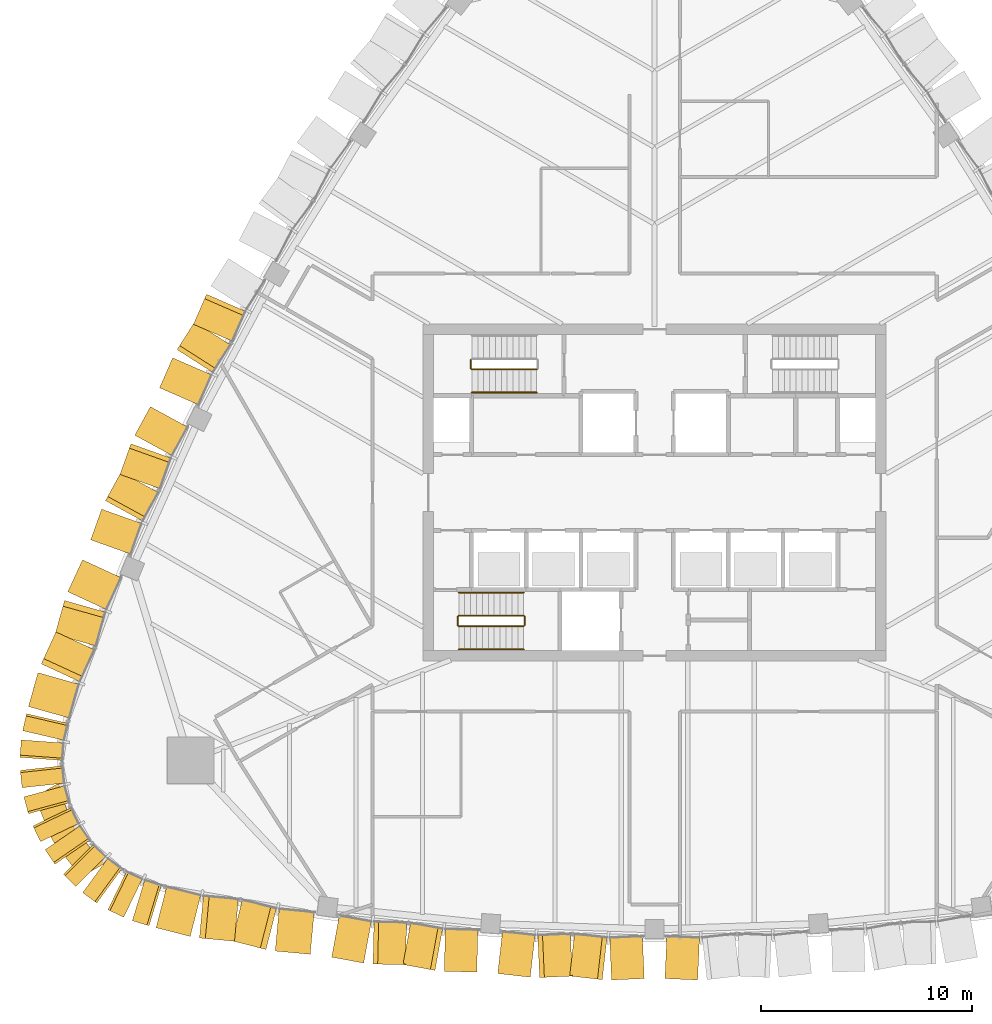
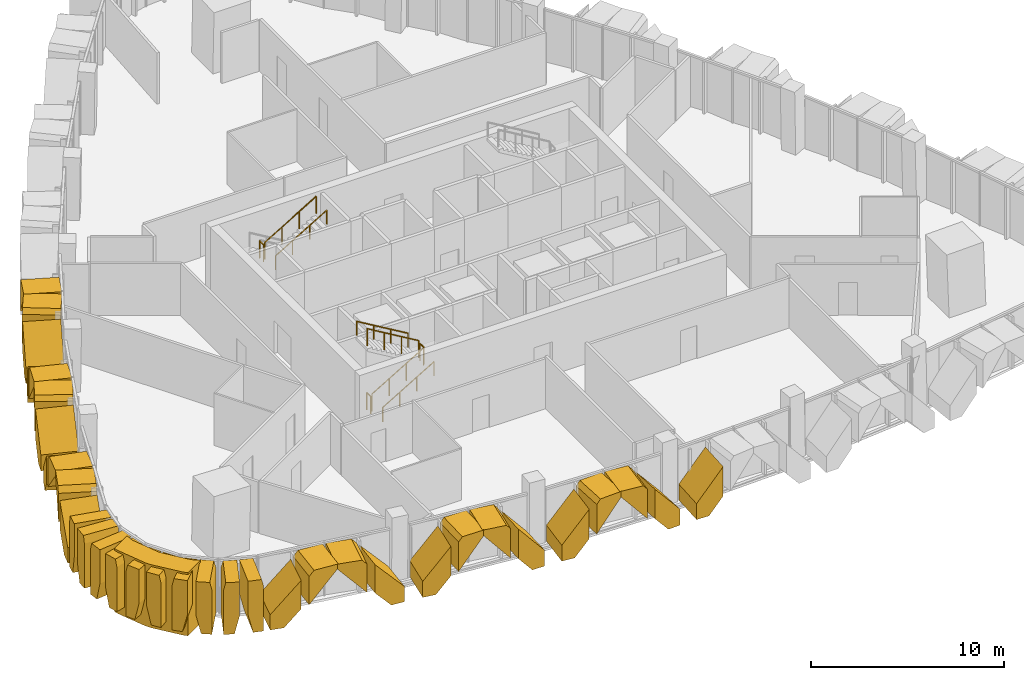
# One storey, part 17 of 20: 35 coverings, 9 railings.
"""IFC4 building model written with IfcOpenShell, lengths in metres."""

from ifc_helpers import new_model, si_unit, direction, frame, origin, origin_2d, place, context, subcontext, project, spatial, polyline, circle, outline, extrude, material, layer, layer_set, type_object, element, save


model = new_model("IFC4")

# Units and contexts
model_context = context("Model", 3, precision=1e-05, world=origin(), true_north=direction((0.0, 1.0)))
body_context = subcontext(model_context, "Body", "Model", "MODEL_VIEW")
ifc_project = project(units=[si_unit("LENGTHUNIT", "METRE"), si_unit("AREAUNIT", "SQUARE_METRE"), si_unit("VOLUMEUNIT", "CUBIC_METRE"), si_unit("PLANEANGLEUNIT", "RADIAN"), si_unit("MASSUNIT", "GRAM", prefix="KILO")], contexts=[model_context])

# Site, building, storey
site_placement = place(None, origin())
site = spatial("IfcSite", under=ifc_project, at=site_placement, CompositionType="ELEMENT")
building_placement = place(site_placement, origin())
building = spatial("IfcBuilding", under=site, at=building_placement, Name="Sierra Prisma Convention Tower", CompositionType="ELEMENT")
storey_placement = place(building_placement, frame((0.0, 0.0, 239.0)))
storey = spatial("IfcBuildingStorey", under=building, at=storey_placement, Name="L53", CompositionType="ELEMENT", Elevation=239.0)

# Coverings
ifc_material_1 = material(Name="Aluminium composite bronze anodised", Category="aluminium")
ifc_layer_1 = layer(ifc_material_1, 1.199951171875)
ifc_layer_set_1 = layer_set([ifc_layer_1], Name="Bronze corner pier")
covering_type_1 = type_object("IfcCoveringType", Name="Bronze corner pier", PredefinedType="CLADDING", material=ifc_layer_set_1)
covering_1_placement = place(storey_placement, frame((0.0, 0.0, -0.60009765625)))
element("IfcCovering", 1, at=covering_1_placement, inside=storey, type_object=covering_type_1, Name="Corner pier SW L53.1", PredefinedType="CLADDING", context=body_context, shape_type="SweptSolid", body=[
    extrude(outline(polyline([(-28.50732421875, -16.652587890625), (-28.67529296875, -16.36181640625), (-29.339111328125, -14.715087890625), (-29.40771484375, -14.438232421875), (-28.275634765625, -13.78466796875), (-28.22607421875, -14.266357421875), (-27.562255859375, -15.9130859375), (-26.468017578125, -17.311279296875), (-26.07568359375, -17.59521484375), (-27.20751953125, -18.248779296875), (-27.4130859375, -18.05078125), (-28.50732421875, -16.652587890625)])), origin(), (0.0, 0.0, 1.0), 4.0),
])
ifc_material_2 = material(Name="Aluminium 6063-T6 bronze anodised", Category="aluminium")
ifc_layer_2 = layer(ifc_material_2, 2.0)
ifc_layer_set_2 = layer_set([ifc_layer_2], Name="Bronze crystal chevron frame")
covering_type_2 = type_object("IfcCoveringType", Name="Bronze crystal chevron frame", PredefinedType="CLADDING", material=ifc_layer_set_2)
covering_2_placement = place(storey_placement, frame((-23.673828125, -20.672119140625, 0.0), z_axis=(-0.246592732072, -0.969119200336, 5.448043e-06), x_axis=(0.96911920035, -0.246592732076, -1.1e-10)))
element("IfcCovering", 2, at=covering_2_placement, inside=storey, type_object=covering_type_2, Name="CW-2 chevron frame S1.1.1", PredefinedType="CLADDING", context=body_context, shape_type="SweptSolid", body=[
    extrude(outline(polyline([(0.0, 0.0), (0.7464431422418867, 0.0), (1.6712366470713247, 1.0295410158237581), (1.6712366468741326, 2.8256835939221023), (-1.0592674822132183e-10, 0.9648437499856811), (0.0, 0.0)])), origin(), (0.0, 0.0, -1.0), 2.0),
])
covering_3_placement = place(storey_placement, frame((-21.617431640625, -21.159423828125, 2.970458984375), z_axis=(-0.092035463138, -0.9957557298, -9.773678e-06), x_axis=(8.99525e-07, 9.732195e-06, -0.999999999952)))
element("IfcCovering", 3, at=covering_3_placement, inside=storey, type_object=covering_type_2, Name="CW-2 chevron frame S1.1.2", PredefinedType="CLADDING", context=body_context, shape_type="SweptSolid", body=[
    extrude(outline(polyline([(0.0, 0.0), (1.796142578039212, -1.9017399270476952e-22), (-0.06469726565148154, 1.6711556143604487), (-0.30957031251478584, 1.6711556143604487), (-0.3095703127097534, 0.2782828313005091), (0.0, 0.0)])), origin(), (0.0, 0.0, -1.0), 2.0),
])
covering_4_placement = place(storey_placement, frame((-20.07568359375, -21.2919921875, 3.280029296875), z_axis=(-0.246618798491, -0.969112566867, 3.1169148e-05), x_axis=(-7.686898e-06, -3.0206413e-05, -0.999999999514)))
element("IfcCovering", 4, at=covering_4_placement, inside=storey, type_object=covering_type_2, Name="CW-2 chevron frame S1.2.1", PredefinedType="CLADDING", context=body_context, shape_type="SweptSolid", body=[
    extrude(outline(polyline([(0.0, 0.0), (0.24487304675605098, 2.074155385976717e-22), (2.1057128899028856, 1.6710000466810653), (0.3095703126503762, 1.6710000466810653), (-1.982878860901503e-09, 1.3931116081598105), (0.0, 0.0)])), origin(), (0.0, 0.0, -1.0), 2.0),
])
covering_5_placement = place(storey_placement, frame((-16.355224609375, -21.93310546875, 0.0), z_axis=(-0.09202079888, -0.995757084762, 2.6843308e-05), x_axis=(2.470143e-06, 2.6729414e-05, 0.99999999964)))
element("IfcCovering", 5, at=covering_5_placement, inside=storey, type_object=covering_type_2, Name="CW-2 chevron frame S1.2.2", PredefinedType="CLADDING", context=body_context, shape_type="SweptSolid", body=[
    extrude(outline(polyline([(0.0, 0.0), (0.9648437496523846, 4.0862722260119567e-22), (2.8256835934738076, 1.671155614134674), (1.0295410159959248, 1.671155614134674), (-1.9894651493996165e-09, 0.7463238309572645), (0.0, 0.0)])), origin(), (0.0, 0.0, -1.0), 2.0),
])
covering_6_placement = place(storey_placement, frame((-15.338623046875, -22.071044921875, 0.0), z_axis=(-0.179886779152, -0.983687321601, 2.631026e-06), x_axis=(0.983687321605, -0.179886779153, -2.8e-11)))
element("IfcCovering", 6, at=covering_6_placement, inside=storey, type_object=covering_type_2, Name="CW-2 chevron frame S2.1.1", PredefinedType="CLADDING", context=body_context, shape_type="SweptSolid", body=[
    extrude(outline(polyline([(0.0, 0.0), (0.7219839318988435, -5.293955920339377e-23), (1.5472113503435068, 0.9868164062961082), (1.547211350291884, 2.857666015664633), (-2.778862416148232e-11, 1.0070800781215146), (0.0, 0.0)])), origin(), (0.0, 0.0, -1.0), 2.0),
])
covering_7_placement = place(storey_placement, frame((-13.375732421875, -22.394775390625, 3.01318359375), z_axis=(-0.023821470512, -0.999716228261, -2.224456e-05), x_axis=(5.29898e-07, 2.2238248e-05, -0.999999999753)))
element("IfcCovering", 7, at=covering_7_placement, inside=storey, type_object=covering_type_2, Name="CW-2 chevron frame S2.1.2", PredefinedType="CLADDING", context=body_context, shape_type="SweptSolid", body=[
    extrude(outline(polyline([(0.0, 0.0), (1.8708496089121327, -1.9808390731230785e-22), (0.020263671737945847, 1.5473142250671934), (-0.26684570319102036, 1.5473142250671934), (-0.26684570425882265, 0.22320915654486181), (0.0, 0.0)])), origin(), (0.0, 0.0, -1.0), 2.0),
])
covering_8_placement = place(storey_placement, frame((-11.952392578125, -22.4189453125, 3.280029296875), z_axis=(-0.179891931607, -0.983686378545, -4.0100728e-05), x_axis=(7.213797e-06, 3.944654e-05, -0.999999999196)))
element("IfcCovering", 8, at=covering_8_placement, inside=storey, type_object=covering_type_2, Name="CW-2 chevron frame S2.2.1", PredefinedType="CLADDING", context=body_context, shape_type="SweptSolid", body=[
    extrude(outline(polyline([(0.0, 0.0), (0.28710937476915427, 0.0), (2.137695311210326, 1.547211350335911), (0.2668457033395531, 1.547211350335911), (-3.4701456713681216e-09, 1.3241067771352026), (0.0, 0.0)])), origin(), (0.0, 0.0, -1.0), 2.0),
])
covering_9_placement = place(storey_placement, frame((-8.442626953125, -22.779541015625, 0.0), z_axis=(-0.023849943496, -0.999715548895, -3.8642777e-05), x_axis=(-9.21628e-07, -3.8631785e-05, 0.999999999253)))
element("IfcCovering", 9, at=covering_9_placement, inside=storey, type_object=covering_type_2, Name="CW-2 chevron frame S2.2.2", PredefinedType="CLADDING", context=body_context, shape_type="SweptSolid", body=[
    extrude(outline(polyline([(0.0, 0.0), (1.0070800773730817, 0.0), (2.8576660149649524, 1.5473142246086837), (0.9868164069867889, 1.5473142246086837), (-4.2975094157597385e-09, 0.7221318911812697), (0.0, 0.0)])), origin(), (0.0, 0.0, -1.0), 2.0),
])
covering_10_placement = place(storey_placement, frame((-7.450927734375, -22.846923828125, 0.0), z_axis=(-0.112405232441, -0.993662449512, -1.2234271e-05), x_axis=(0.993662449586, -0.112405232449, -5.94e-10)))
element("IfcCovering", 10, at=covering_10_placement, inside=storey, type_object=covering_type_2, Name="CW-2 chevron frame S3.1.1", PredefinedType="CLADDING", context=body_context, shape_type="SweptSolid", body=[
    extrude(outline(polyline([(0.0, 0.0), (0.7235758926849429, 0.0), (1.5550224090476712, 0.9897460947472195), (1.555022407940074, 2.8554687508575913), (-5.961197631955315e-10, 1.0041503905498508), (0.0, 0.0)])), origin(), (0.0, 0.0, -1.0), 2.0),
])
covering_11_placement = place(storey_placement, frame((-5.46240234375, -23.036865234375, 3.01025390625), z_axis=(0.044418262807, -0.999013018779, 7.898468e-05), x_axis=(3.508362e-06, -7.8906724e-05, -0.999999996881)))
element("IfcCovering", 11, at=covering_11_placement, inside=storey, type_object=covering_type_2, Name="CW-2 chevron frame S3.1.2", PredefinedType="CLADDING", context=body_context, shape_type="SweptSolid", body=[
    extrude(outline(polyline([(0.0, 0.0), (1.8657226504302702, -7.901642801412797e-22), (0.014404295147053537, 1.5550024967614853), (-0.26977539146650764, 1.5550024967614853), (-0.2697754048788448, 0.22655044881369582), (0.0, 0.0)])), origin(), (0.0, 0.0, -1.0), 2.0),
])
covering_12_placement = place(storey_placement, frame((-4.032958984375, -22.96337890625, 3.280029296875), z_axis=(-0.112542491685, -0.993646911859, 4.6030261e-05), x_axis=(-5.18036e-06, -4.5737827e-05, -0.999999998941)))
element("IfcCovering", 12, at=covering_12_placement, inside=storey, type_object=covering_type_2, Name="CW-2 chevron frame S3.2.1", PredefinedType="CLADDING", context=body_context, shape_type="SweptSolid", body=[
    extrude(outline(polyline([(0.0, 0.0), (0.28417968719894215, 0.0), (2.135498045184266, 1.555292462244443), (0.26977539091079805, 1.555292462244443), (-4.555180755774009e-09, 1.3284972810294209), (0.0, 0.0)])), origin(), (0.0, 0.0, -1.0), 2.0),
])
covering_13_placement = place(storey_placement, frame((-0.49072265625, -23.08447265625, 0.0), z_axis=(0.044258670899, -0.999020104813, -1.5167231e-05), x_axis=(6.71281e-07, -1.5152369e-05, 0.999999999885)))
element("IfcCovering", 13, at=covering_13_placement, inside=storey, type_object=covering_type_2, Name="CW-2 chevron frame S3.2.2", PredefinedType="CLADDING", context=body_context, shape_type="SweptSolid", body=[
    extrude(outline(polyline([(0.0, 0.0), (1.0041503905095002, 0.0), (2.855468749899243, 1.5552355695690911), (0.989746093863843, 1.5552355695690911), (-6.60199658472178e-10, 0.7236075235789626), (0.0, 0.0)])), origin(), (0.0, 0.0, -1.0), 2.0),
])
covering_14_placement = place(storey_placement, frame((0.49072265625, -23.08447265625, 0.0), z_axis=(-0.044258670899, -0.999020104813, -1.5167231e-05), x_axis=(0.999020104928, -0.044258670904, -9.12e-10)))
element("IfcCovering", 14, at=covering_14_placement, inside=storey, type_object=covering_type_2, Name="CW-2 chevron frame S4.1.1", PredefinedType="CLADDING", context=body_context, shape_type="SweptSolid", body=[
    extrude(outline(polyline([(0.0, 0.0), (0.7236075235789626, -1.0587911840678754e-22), (1.5552355686660742, 0.9897460952827972), (1.55523556696384, 2.855468751318197), (-9.16159275943163e-10, 1.0041503905095002), (0.0, 0.0)])), origin(), (0.0, 0.0, -1.0), 2.0),
])
covering_15_placement = place(storey_placement, frame((-21.2822265625, 9.414794921875, 3.01025390625), z_axis=(-0.916792194837, 0.399364583733, -2.7307389e-05), x_axis=(2.5035201e-05, -1.0905604e-05, -0.999999999627)))
element("IfcCovering", 15, at=covering_15_placement, inside=storey, type_object=covering_type_2, Name="CW-2 chevron frame NW4.1.2", PredefinedType="CLADDING", context=body_context, shape_type="SweptSolid", body=[
    extrude(outline(polyline([(0.0, 0.0), (1.8657226555543713, 0.0), (0.014404296668459658, 1.5551879690527297), (-0.2697753907255849, 1.5551879690527297), (-0.269775392328753, 0.22664902800717235), (0.0, 0.0)])), origin(), (0.0, 0.0, -1.0), 2.0),
])
covering_16_placement = place(storey_placement, frame((-21.844970703125, 8.0986328125, 3.280029296875), z_axis=(-0.842922547612, 0.538034923187, -1.2608079e-05), x_axis=(1.0627634e-05, -6.783587e-06, -0.999999999921)))
element("IfcCovering", 16, at=covering_16_placement, inside=storey, type_object=covering_type_2, Name="CW-2 chevron frame NW4.2.1", PredefinedType="CLADDING", context=body_context, shape_type="SweptSolid", body=[
    extrude(outline(polyline([(0.0, 0.0), (0.2841796874774129, 0.0), (2.1354980467481512, 1.5550529395496375), (0.26977539064644224, 1.5550529395496375), (-3.4175635489926663e-10, 1.3285771439011045), (0.0, 0.0)])), origin(), (0.0, 0.0, -1.0), 2.0),
])
covering_17_placement = place(storey_placement, frame((-23.511474609375, 4.970703125, 0.0), z_axis=(-0.916733419273, 0.399499484333, 2.35904e-06), x_axis=(2.162611e-06, -9.42435e-07, 0.999999999997)))
element("IfcCovering", 17, at=covering_17_placement, inside=storey, type_object=covering_type_2, Name="CW-2 chevron frame NW4.2.2", PredefinedType="CLADDING", context=body_context, shape_type="SweptSolid", body=[
    extrude(outline(polyline([(0.0, 0.0), (1.0041503906222058, 1.0631855810720634e-22), (2.8554687499975624, 1.5552854873535067), (0.989746093752754, 1.5552854873535067), (-1.597104051021656e-11, 0.7235771703182279), (0.0, 0.0)])), origin(), (0.0, 0.0, -1.0), 2.0),
])
covering_18_placement = place(storey_placement, frame((-23.948974609375, 4.078125, 0.0), z_axis=(-0.877693933698, 0.479221616562, -3.113442e-05), x_axis=(-0.479221616794, -0.877693934124, -3.864e-09)))
element("IfcCovering", 18, at=covering_18_placement, inside=storey, type_object=covering_type_2, Name="CW-2 chevron frame NW5.1.1", PredefinedType="CLADDING", context=body_context, shape_type="SweptSolid", body=[
    extrude(outline(polyline([(0.0, 0.0), (0.7220582236284028, 1.6940658945086007e-21), (1.5471508047319846, 0.9868164127058221), (1.547150797503814, 2.857666021174066), (-3.8909309735517505e-09, 1.0070800776368927), (0.0, 0.0)])), origin(), (0.0, 0.0, -1.0), 2.0),
])
covering_19_placement = place(storey_placement, frame((-24.87158203125, 2.3154296875, 3.01318359375), z_axis=(-0.941819231301, 0.336119807599, -0.000102425363), x_axis=(9.6466177e-05, -3.4427194e-05, -0.999999994755)))
element("IfcCovering", 19, at=covering_19_placement, inside=storey, type_object=covering_type_2, Name="CW-2 chevron frame NW5.1.2", PredefinedType="CLADDING", context=body_context, shape_type="SweptSolid", body=[
    extrude(outline(polyline([(0.0, 0.0), (1.8708495995615004, 0.0), (0.02026366896924109, 1.5470489247632109), (-0.26684570452473316, 1.5470489247632109), (-0.26684572716378385, 0.22301988389920757), (0.0, 0.0)])), origin(), (0.0, 0.0, -1.0), 2.0),
])
covering_20_placement = place(storey_placement, frame((-25.3408203125, 0.9716796875, 3.280029296875), z_axis=(-0.877685060541, 0.479237868331, 7.781526e-06), x_axis=(-6.829729e-06, 3.729202e-06, -0.99999999997)))
element("IfcCovering", 20, at=covering_20_placement, inside=storey, type_object=covering_type_2, Name="CW-2 chevron frame NW5.2.1", PredefinedType="CLADDING", context=body_context, shape_type="SweptSolid", body=[
    extrude(outline(polyline([(0.0, 0.0), (0.28710937499130745, 0.0), (2.1376953124514375, 1.5471508088482966), (0.26684570313307904, 1.5471508088482966), (-1.3066904782981311e-10, 1.3240527607744208), (0.0, 0.0)])), origin(), (0.0, 0.0, -1.0), 2.0),
])
covering_21_placement = place(storey_placement, frame((-26.783447265625, -2.248291015625, 0.0), z_axis=(-0.941876631152, 0.335958942822, -2.0678373e-05), x_axis=(-1.9476476e-05, 6.947084e-06, 0.999999999786)))
element("IfcCovering", 21, at=covering_21_placement, inside=storey, type_object=covering_type_2, Name="CW-2 chevron frame NW5.2.2", PredefinedType="CLADDING", context=body_context, shape_type="SweptSolid", body=[
    extrude(outline(polyline([(0.0, 0.0), (1.0070800779096887, 0.0), (2.857666015435996, 1.547196826652712), (0.986816406460979, 1.547196826652712), (-1.2305886722524439e-09, 0.7221707725066129), (0.0, 0.0)])), origin(), (0.0, 0.0, -1.0), 2.0),
])
covering_22_placement = place(storey_placement, frame((-27.172119140625, -3.197509765625, 0.0), z_axis=(-0.908311147701, 0.418295181469, 1.0985849e-05), x_axis=(-0.418295181495, -0.908311147756, -4.46e-10)))
element("IfcCovering", 22, at=covering_22_placement, inside=storey, type_object=covering_type_2, Name="CW-2 chevron frame NW6.1.1", PredefinedType="CLADDING", context=body_context, shape_type="SweptSolid", body=[
    extrude(outline(polyline([(0.0, 0.0), (0.7464305650514864, 0.0), (1.6710325948089655, 1.029541016433107), (1.6710325940071344, 2.82568359444972), (-4.30724030226402e-10, 0.9648437499417771), (0.0, 0.0)])), origin(), (0.0, 0.0, -1.0), 2.0),
])
covering_23_placement = place(storey_placement, frame((-28.0244140625, -5.13134765625, 2.970458984375), z_axis=(-0.96258153576, 0.270992226346, -1.6537417e-05), x_axis=(1.5918612e-05, -4.481511e-06, -0.999999999863)))
element("IfcCovering", 23, at=covering_23_placement, inside=storey, type_object=covering_type_2, Name="CW-2 chevron frame NW6.1.2", PredefinedType="CLADDING", context=body_context, shape_type="SweptSolid", body=[
    extrude(outline(polyline([(0.0, 0.0), (1.79614257787939, 0.0), (-0.0646972657008163, 1.6711768359209256), (-0.30957031254233164, 1.6711768359209256), (-0.30957031310052113, 0.27824427315081723), (0.0, 0.0)])), origin(), (0.0, 0.0, -1.0), 2.0),
])
covering_24_placement = place(storey_placement, frame((-28.434326171875, -6.62353515625, 3.280029296875), z_axis=(-0.908312716499, 0.418291774699, -1.6290194e-05), x_axis=(1.479659e-05, -6.814054e-06, -0.999999999867)))
element("IfcCovering", 24, at=covering_24_placement, inside=storey, type_object=covering_type_2, Name="CW-2 chevron frame NW6.2.1", PredefinedType="CLADDING", context=body_context, shape_type="SweptSolid", body=[
    extrude(outline(polyline([(0.0, 0.0), (0.24487304684250896, 2.074155385976717e-22), (2.105712890427754, 1.671032595299239), (0.30957031254107537, 1.671032595299239), (-5.416251553178329e-10, 1.3931267765082904), (0.0, 0.0)])), origin(), (0.0, 0.0, -1.0), 2.0),
])
covering_25_placement = place(storey_placement, frame((-29.739501953125, -10.166015625, 0.0), z_axis=(-0.962587310225, 0.270971711859, 3.9566286e-05), x_axis=(3.8086005e-05, -1.0721344e-05, 0.999999999217)))
element("IfcCovering", 25, at=covering_25_placement, inside=storey, type_object=covering_type_2, Name="CW-2 chevron frame NW6.2.2", PredefinedType="CLADDING", context=body_context, shape_type="SweptSolid", body=[
    extrude(outline(polyline([(0.0, 0.0), (0.9648437492447729, -1.6345088904047827e-21), (2.825683593149946, 1.6711768354323056), (1.0295410164308685, 1.6711768354323056), (-4.3222993256543136e-09, 0.7464011313001135), (0.0, 0.0)])), origin(), (0.0, 0.0, -1.0), 2.0),
])
covering_26_placement = place(storey_placement, frame((-29.826904296875, -10.50537109375, 0.0), z_axis=(-0.973929565657, 0.226850614026, 7.409654e-06), x_axis=(-0.226850614033, -0.973929565684, 1.019e-09)))
element("IfcCovering", 26, at=covering_26_placement, inside=storey, type_object=covering_type_2, Name="CW-2 chevron frame SW1.1.1", PredefinedType="CLADDING", context=body_context, shape_type="SweptSolid", body=[
    extrude(outline(polyline([(0.0, 0.0), (0.5567332355562917, 1.0587911840678754e-22), (0.8297384498546961, 1.1433105459543387), (0.8297384520321726, 3.2800292958956825), (0.1060067334352325, 3.280029297604425), (2.890032610932758e-09, 2.8359374999221494), (0.0, 0.0)])), origin(), (0.0, 0.0, -1.0), 2.0),
])
covering_27_placement = place(storey_placement, frame((-30.08154296875, -11.751708984375, 3.280029296875), z_axis=(-0.997418469358, 0.071808054601, -1.6670509e-05), x_axis=(1.6627474e-05, -1.197077e-06, -0.999999999861)))
element("IfcCovering", 27, at=covering_27_placement, inside=storey, type_object=covering_type_2, Name="CW-2 chevron frame SW1.1.2", PredefinedType="CLADDING", context=body_context, shape_type="SweptSolid", body=[
    extrude(outline(polyline([(0.0, 0.0), (2.1367187497030966, 4.524677950665061e-22), (3.280029297528305, 0.27291656197695635), (3.2800292966601656, 0.8297777775680254), (0.4440917970542273, 0.8297777775680254), (-4.628203828726079e-10, 0.7237943188314584), (0.0, 0.0)])), origin(), (0.0, 0.0, -1.0), 2.0),
])
covering_28_placement = place(storey_placement, frame((-30.1298828125, -13.196044921875, 0.0), z_axis=(-0.994183413284, -0.107700235487, -5.216804e-06), x_axis=(0.107700235488, -0.994183413297, -6.97e-10)))
element("IfcCovering", 28, at=covering_28_placement, inside=storey, type_object=covering_type_2, Name="CW-2 chevron frame SW2.1.1", PredefinedType="CLADDING", context=body_context, shape_type="SweptSolid", body=[
    extrude(outline(polyline([(0.0, 0.0), (0.5569585545138511, -5.293955920339377e-23), (0.8297763760875799, 1.1433105474992453), (0.8297763745973669, 3.2800292974701697), (0.10609109771544621, 3.2800292966494795), (-1.9778695635118834e-09, 2.8359374999614095), (0.0, 0.0)])), origin(), (0.0, 0.0, -1.0), 2.0),
])
covering_29_placement = place(storey_placement, frame((-29.958251953125, -14.456787109375, 3.280029296875), z_axis=(-0.965031393635, -0.262134334116, -1.3281566e-05), x_axis=(1.2817128e-05, 3.481555e-06, -0.999999999912)))
element("IfcCovering", 29, at=covering_29_placement, inside=storey, type_object=covering_type_2, Name="CW-2 chevron frame SW2.1.2", PredefinedType="CLADDING", context=body_context, shape_type="SweptSolid", body=[
    extrude(outline(polyline([(0.0, 0.0), (2.1367187498115414, 0.0), (3.280029297147918, 0.2727317388508485), (3.280029296723043, 0.8298009431445368), (0.44409179697317286, 0.8298009431445368), (-4.4402795677132566e-10, 0.7237874011375545), (0.0, 0.0)])), origin(), (0.0, 0.0, -1.0), 2.0),
])
covering_30_placement = place(storey_placement, frame((-29.5263671875, -15.8359375, 0.0), z_axis=(-0.902464450497, -0.430764338717, 8.898946e-06), x_axis=(0.430764338734, -0.902464450533, -1.143e-09)))
element("IfcCovering", 30, at=covering_30_placement, inside=storey, type_object=covering_type_2, Name="CW-2 chevron frame SW3.1.1", PredefinedType="CLADDING", context=body_context, shape_type="SweptSolid", body=[
    extrude(outline(polyline([(0.0, 0.0), (0.5567095751544981, 1.2705494208814505e-21), (0.8297112930509482, 1.1433105478949313), (0.829711290608393, 3.280029297810327), (0.10603490737158833, 3.2800292966517532), (-3.241855659258088e-09, 2.8359374998877094), (0.0, 0.0)])), origin(), (0.0, 0.0, -1.0), 2.0),
])
covering_31_placement = place(storey_placement, frame((-28.947265625, -16.96875, 3.280029296875), z_axis=(-0.824136965611, -0.566390555988, -4.6893e-08), x_axis=(3.8647e-08, 2.656e-08, -1.0)))
element("IfcCovering", 31, at=covering_31_placement, inside=storey, type_object=covering_type_2, Name="CW-2 chevron frame SW3.1.2", PredefinedType="CLADDING", context=body_context, shape_type="SweptSolid", body=[
    extrude(outline(polyline([(0.0, 0.0), (2.136718749999998, 7.069809297914158e-24), (3.2800292968753744, 0.27284066583709676), (3.280029296875039, 0.8297630519910099), (0.44409179687504197, 0.8297630519910099), (3.873862776901294e-13, 0.7237149293196172), (0.0, 0.0)])), origin(), (0.0, 0.0, -1.0), 2.0),
])
covering_32_placement = place(storey_placement, frame((-28.083740234375, -18.12744140625, 0.0), z_axis=(-0.709464606063, -0.704741067818, 8.664633e-06), x_axis=(0.704741067844, -0.70946460609, -6.13e-10)))
element("IfcCovering", 32, at=covering_32_placement, inside=storey, type_object=covering_type_2, Name="CW-2 chevron frame SW4.1.1", PredefinedType="CLADDING", context=body_context, shape_type="SweptSolid", body=[
    extrude(outline(polyline([(0.0, 0.0), (0.5567462472359717, -4.235164736271502e-22), (0.8296811572012917, 1.1433105474192697), (0.8296811558907428, 3.2800292973390617), (0.10599752372939474, 3.2800292968928737), (-1.7394121417857743e-09, 2.8359374998935447), (0.0, 0.0)])), origin(), (0.0, 0.0, -1.0), 2.0),
])
covering_33_placement = place(storey_placement, frame((-27.162841796875, -19.00537109375, 3.280029296875), z_axis=(-0.59029112238, -0.807190430246, 1.2616071e-05), x_axis=(-7.447154e-06, -1.0183571e-05, -0.99999999992)))
element("IfcCovering", 33, at=covering_33_placement, inside=storey, type_object=covering_type_2, Name="CW-2 chevron frame SW4.1.2", PredefinedType="CLADDING", context=body_context, shape_type="SweptSolid", body=[
    extrude(outline(polyline([(0.0, 0.0), (2.1367187498299542, 0.0), (3.280029297547518, 0.272870583237633), (3.2800292967847717, 0.8296502299630377), (0.44409179701046286, 0.8296502299630377), (5.112057060622328e-11, 0.7237832431588935), (0.0, 0.0)])), origin(), (0.0, 0.0, -1.0), 2.0),
])
covering_34_placement = place(storey_placement, frame((-25.964599609375, -19.813232421875, 0.0), z_axis=(-0.43659542122, -0.899657956206, -2.063163e-06), x_axis=(0.899657956208, -0.436595421221, 1.5e-10)))
element("IfcCovering", 34, at=covering_34_placement, inside=storey, type_object=covering_type_2, Name="CW-2 chevron frame SW5.1.1", PredefinedType="CLADDING", context=body_context, shape_type="SweptSolid", body=[
    extrude(outline(polyline([(0.0, 0.0), (0.5568718666199962, 5.293955920339377e-23), (0.829849032196778, 1.1433105467400686), (0.8298490325166795, 3.280029296735521), (0.10613266428732054, 3.2800292969660676), (4.2458592786152935e-10, 2.8359374999939644), (0.0, 0.0)])), origin(), (0.0, 0.0, -1.0), 2.0),
])
covering_35_placement = place(storey_placement, frame((-24.80517578125, -20.337158203125, 3.280029296875), z_axis=(-0.290401133914, -0.956905001186, 1.1219994e-05), x_axis=(-3.258299e-06, -1.0736469e-05, -0.999999999937)))
element("IfcCovering", 35, at=covering_35_placement, inside=storey, type_object=covering_type_2, Name="CW-2 chevron frame SW5.1.2", PredefinedType="CLADDING", context=body_context, shape_type="SweptSolid", body=[
    extrude(outline(polyline([(0.0, 0.0), (2.1367187498655063, 0.0), (3.280029298189687, 0.27278120479996515), (3.280029296889733, 0.8297072713001117), (0.44409179706823837, 0.8297072713001117), (8.699611069227139e-10, 0.7235883691042932), (0.0, 0.0)])), origin(), (0.0, 0.0, -1.0), 2.0),
])

# Railings
ifc_material_3 = material(Name="Stainless steel", Category="steel")
railing_type_1 = type_object("IfcRailingType", Name="Exit stair handrail", PredefinedType="HANDRAIL", material=ifc_material_3)
railing_1_placement = place(storey_placement, frame((-9.300048828125, -7.449951171875, 0.166748046875)))
element("IfcRailing", 36, at=railing_1_placement, inside=storey, type_object=railing_type_1, Name="L53 S1 stair handrail 1", PredefinedType="HANDRAIL", context=body_context, shape_type="SweptSolid", body=[
    extrude(circle(Radius=0.02392578125, at=origin_2d()), frame((0.0, 0.0, 0.8759765625), z_axis=(0.859308565015, 0.0, 0.511457515432), x_axis=(0.0, 1.0, 0.0)), (0.0, 0.0, 1.0), 3.58447265625),
    extrude(circle(Radius=0.02099609375, at=origin_2d()), origin(), (0.0, 0.0, 1.0), 0.851806640625),
    extrude(circle(Radius=0.02099609375, at=origin_2d()), frame((1.026611328125, 0.0, 0.611083984375)), (0.0, 0.0, 1.0), 0.851806640625),
    extrude(circle(Radius=0.02099609375, at=origin_2d()), frame((2.053466796875, 0.0, 1.22216796875)), (0.0, 0.0, 1.0), 0.851806640625),
    extrude(circle(Radius=0.02099609375, at=origin_2d()), frame((3.080078125, 0.0, 1.833251953125)), (0.0, 0.0, 1.0), 0.851806640625),
])
railing_2_placement = place(storey_placement, frame((-6.219970703125, -4.75, 2.166748046875)))
element("IfcRailing", 37, at=railing_2_placement, inside=storey, type_object=railing_type_1, Name="L53 S1 stair handrail 2", PredefinedType="HANDRAIL", context=body_context, shape_type="SweptSolid", body=[
    extrude(circle(Radius=0.02392578125, at=origin_2d()), frame((0.0, 0.0, 0.8759765625), z_axis=(-0.859308565015, 0.0, 0.511457515432), x_axis=(0.0, -1.0, 0.0)), (0.0, 0.0, 1.0), 3.58447265625),
    extrude(circle(Radius=0.02099609375, at=origin_2d()), origin(), (0.0, 0.0, 1.0), 0.851806640625),
    extrude(circle(Radius=0.02099609375, at=origin_2d()), frame((-1.026611328125, 0.0, 0.611083984375)), (0.0, 0.0, 1.0), 0.851806640625),
    extrude(circle(Radius=0.02099609375, at=origin_2d()), frame((-2.053466796875, 0.0, 1.22216796875)), (0.0, 0.0, 1.0), 0.851806640625),
    extrude(circle(Radius=0.02099609375, at=origin_2d()), frame((-3.080078125, 0.0, 1.833251953125)), (0.0, 0.0, 1.0), 0.851806640625),
])
railing_3_placement = place(storey_placement, frame((-8.679931640625, 4.75, 2.166748046875)))
element("IfcRailing", 38, at=railing_3_placement, inside=storey, type_object=railing_type_1, Name="L53 S3 stair handrail 2", PredefinedType="HANDRAIL", context=body_context, shape_type="SweptSolid", body=[
    extrude(circle(Radius=0.02392578125, at=origin_2d()), frame((0.0, 0.0, 0.8759765625), z_axis=(0.859290745958, 0.0, 0.51148745235), x_axis=(0.0, 1.0, 0.0)), (0.0, 0.0, 1.0), 3.584228515625),
    extrude(circle(Radius=0.02099609375, at=origin_2d()), origin(), (0.0, 0.0, 1.0), 0.851806640625),
    extrude(circle(Radius=0.02099609375, at=origin_2d()), frame((1.026611328125, 0.0, 0.611083984375)), (0.0, 0.0, 1.0), 0.851806640625),
    extrude(circle(Radius=0.02099609375, at=origin_2d()), frame((2.05322265625, 0.0, 1.22216796875)), (0.0, 0.0, 1.0), 0.851806640625),
    extrude(circle(Radius=0.02099609375, at=origin_2d()), frame((3.079833984375, 0.0, 1.833251953125)), (0.0, 0.0, 1.0), 0.851806640625),
])
ifc_material_4 = material(Name="Stainless steel", Category="steel")
railing_type_2 = type_object("IfcRailingType", Name="Stair guard 1100", PredefinedType="GUARDRAIL", material=ifc_material_4)
railing_4_placement = place(storey_placement, frame((-9.300048828125, -6.35009765625, 0.166748046875)))
element("IfcRailing", 39, at=railing_4_placement, inside=storey, type_object=railing_type_2, Name="L53 S1 stair guard 1", PredefinedType="GUARDRAIL", context=body_context, shape_type="SweptSolid", body=[
    extrude(circle(Radius=0.02392578125, at=origin_2d()), frame((0.0, 0.0, 1.076171875), z_axis=(0.859308565015, 0.0, 0.511457515432), x_axis=(0.0, 1.0, 0.0)), (0.0, 0.0, 1.0), 3.58447265625),
    extrude(circle(Radius=0.02099609375, at=origin_2d()), origin(), (0.0, 0.0, 1.0), 1.052001953125),
    extrude(circle(Radius=0.02099609375, at=origin_2d()), frame((1.026611328125, 0.0, 0.611083984375)), (0.0, 0.0, 1.0), 1.052001953125),
    extrude(circle(Radius=0.02099609375, at=origin_2d()), frame((2.053466796875, 0.0, 1.22216796875)), (0.0, 0.0, 1.0), 1.052001953125),
    extrude(circle(Radius=0.02099609375, at=origin_2d()), frame((3.080078125, 0.0, 1.833251953125)), (0.0, 0.0, 1.0), 1.052001953125),
])
railing_5_placement = place(storey_placement, frame((-6.169921875, -6.300048828125, 2.0)))
element("IfcRailing", 40, at=railing_5_placement, inside=storey, type_object=railing_type_2, Name="L53 S1 stair guard 2", PredefinedType="GUARDRAIL", context=body_context, shape_type="SweptSolid", body=[
    extrude(circle(Radius=0.02392578125, at=origin_2d()), frame((0.0, 0.0, 1.076171875), z_axis=(0.0, 1.0, 0.0), x_axis=(-1.0, 0.0, 0.0)), (0.0, 0.0, 1.0), 0.400146484375),
    extrude(circle(Radius=0.02099609375, at=origin_2d()), origin(), (0.0, 0.0, 1.0), 1.052001953125),
    extrude(circle(Radius=0.02099609375, at=origin_2d()), frame((0.0, 0.400146484375, 0.0)), (0.0, 0.0, 1.0), 1.052001953125),
])
railing_6_placement = place(storey_placement, frame((-6.219970703125, -5.85009765625, 2.166748046875)))
element("IfcRailing", 41, at=railing_6_placement, inside=storey, type_object=railing_type_2, Name="L53 S1 stair guard 3", PredefinedType="GUARDRAIL", context=body_context, shape_type="SweptSolid", body=[
    extrude(circle(Radius=0.02392578125, at=origin_2d()), frame((0.0, 0.0, 1.076171875), z_axis=(-0.859308565015, 0.0, 0.511457515432), x_axis=(0.0, -1.0, 0.0)), (0.0, 0.0, 1.0), 3.58447265625),
    extrude(circle(Radius=0.02099609375, at=origin_2d()), origin(), (0.0, 0.0, 1.0), 1.052001953125),
    extrude(circle(Radius=0.02099609375, at=origin_2d()), frame((-1.026611328125, 0.0, 0.611083984375)), (0.0, 0.0, 1.0), 1.052001953125),
    extrude(circle(Radius=0.02099609375, at=origin_2d()), frame((-2.053466796875, 0.0, 1.22216796875)), (0.0, 0.0, 1.0), 1.052001953125),
    extrude(circle(Radius=0.02099609375, at=origin_2d()), frame((-3.080078125, 0.0, 1.833251953125)), (0.0, 0.0, 1.0), 1.052001953125),
])
railing_7_placement = place(storey_placement, frame((-9.35009765625, -6.300048828125, 0.0)))
element("IfcRailing", 42, at=railing_7_placement, inside=storey, type_object=railing_type_2, Name="L53 S1 stair guard 4", PredefinedType="GUARDRAIL", context=body_context, shape_type="SweptSolid", body=[
    extrude(circle(Radius=0.02392578125, at=origin_2d()), frame((0.0, 0.0, 1.076171875), z_axis=(0.0, 1.0, 0.0), x_axis=(-1.0, 0.0, 0.0)), (0.0, 0.0, 1.0), 0.400146484375),
    extrude(circle(Radius=0.02099609375, at=origin_2d()), origin(), (0.0, 0.0, 1.0), 1.052001953125),
    extrude(circle(Radius=0.02099609375, at=origin_2d()), frame((0.0, 0.400146484375, 0.0)), (0.0, 0.0, 1.0), 1.052001953125),
])
railing_8_placement = place(storey_placement, frame((-8.72998046875, 6.300048828125, 2.0)))
element("IfcRailing", 43, at=railing_8_placement, inside=storey, type_object=railing_type_2, Name="L53 S3 stair guard 2", PredefinedType="GUARDRAIL", context=body_context, shape_type="SweptSolid", body=[
    extrude(circle(Radius=0.02392578125, at=origin_2d()), frame((0.0, 0.0, 1.076171875), z_axis=(0.0, -1.0, 0.0), x_axis=(1.0, 0.0, 0.0)), (0.0, 0.0, 1.0), 0.400146484375),
    extrude(circle(Radius=0.02099609375, at=origin_2d()), origin(), (0.0, 0.0, 1.0), 1.052001953125),
    extrude(circle(Radius=0.02099609375, at=origin_2d()), frame((0.0, -0.400146484375, 0.0)), (0.0, 0.0, 1.0), 1.052001953125),
])
railing_9_placement = place(storey_placement, frame((-8.679931640625, 5.85009765625, 2.166748046875)))
element("IfcRailing", 44, at=railing_9_placement, inside=storey, type_object=railing_type_2, Name="L53 S3 stair guard 3", PredefinedType="GUARDRAIL", context=body_context, shape_type="SweptSolid", body=[
    extrude(circle(Radius=0.02392578125, at=origin_2d()), frame((0.0, 0.0, 1.076171875), z_axis=(0.859290745958, 0.0, 0.51148745235), x_axis=(0.0, 1.0, 0.0)), (0.0, 0.0, 1.0), 3.584228515625),
    extrude(circle(Radius=0.02099609375, at=origin_2d()), origin(), (0.0, 0.0, 1.0), 1.052001953125),
    extrude(circle(Radius=0.02099609375, at=origin_2d()), frame((1.026611328125, 0.0, 0.611083984375)), (0.0, 0.0, 1.0), 1.052001953125),
    extrude(circle(Radius=0.02099609375, at=origin_2d()), frame((2.05322265625, 0.0, 1.22216796875)), (0.0, 0.0, 1.0), 1.052001953125),
    extrude(circle(Radius=0.02099609375, at=origin_2d()), frame((3.079833984375, 0.0, 1.833251953125)), (0.0, 0.0, 1.0), 1.052001953125),
])

save(model, "model.ifc")
